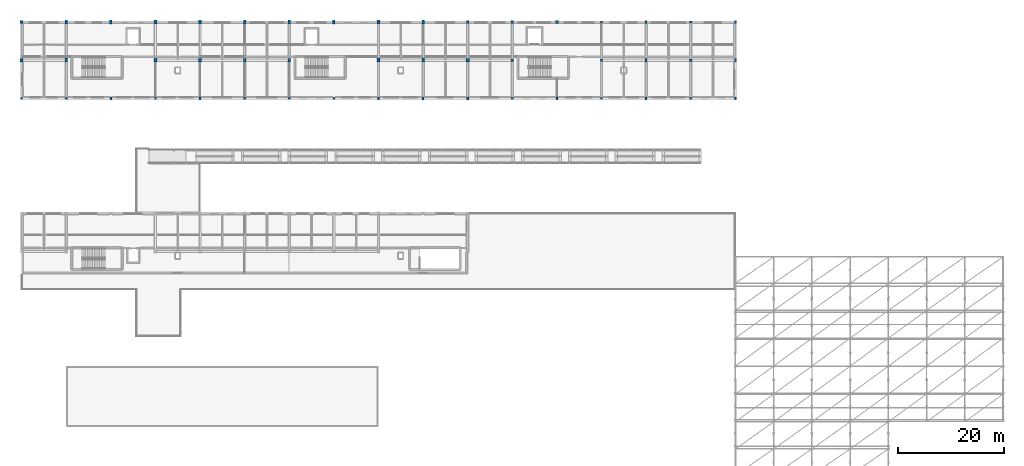
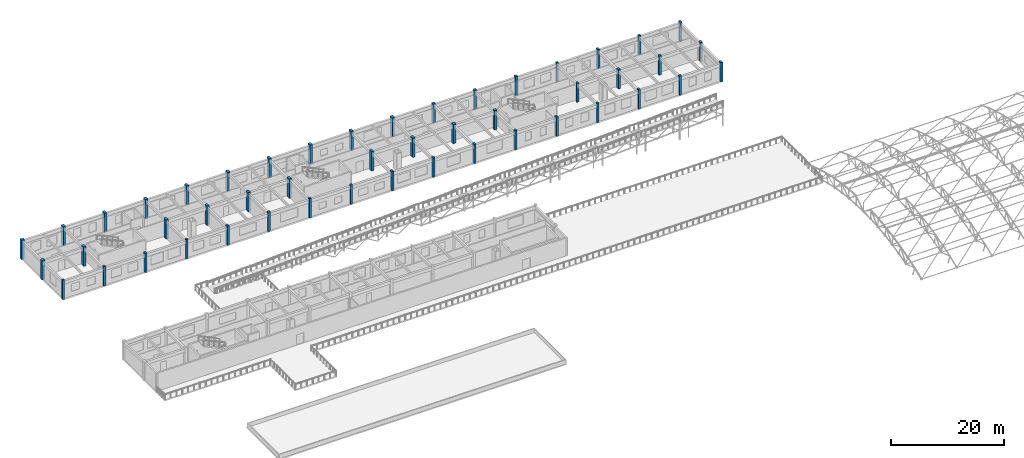
# One storey, part 6 of 41: 48 columns.
"""IFC4 building model written with IfcOpenShell, lengths in metres."""

from ifc_helpers import new_model, si_unit, direction, frame, origin, origin_2d, place, context, subcontext, project, spatial, rectangle, extrude, material, material_profile, profile_set, type_object, element, save


model = new_model("IFC4")

# Units and contexts
model_context = context("Model", 3, precision=1e-05, world=origin(), true_north=direction((0.0, 1.0)))
body_context = subcontext(model_context, "Body", "Model", "MODEL_VIEW")
ifc_project = project(units=[si_unit("LENGTHUNIT", "METRE"), si_unit("AREAUNIT", "SQUARE_METRE"), si_unit("VOLUMEUNIT", "CUBIC_METRE"), si_unit("PLANEANGLEUNIT", "RADIAN"), si_unit("MASSUNIT", "GRAM", prefix="KILO")], contexts=[model_context])

# Site, building, storey
site_placement = place(None, origin())
site = spatial("IfcSite", under=ifc_project, at=site_placement, CompositionType="ELEMENT")
building_placement = place(site_placement, origin())
building = spatial("IfcBuilding", under=site, at=building_placement, Name="Malvenik Polytechnic", CompositionType="ELEMENT")
storey_placement = place(building_placement, frame((0.0, 0.0, 17.699951171875)))
storey = spatial("IfcBuildingStorey", under=building, at=storey_placement, Name="L04", CompositionType="ELEMENT", Elevation=17.699951171875)

# Columns
ifc_material_1 = material(Name="Concrete C35/45", Category="concrete")
ifc_material_profile_1 = material_profile(ifc_material_1, rectangle(XDim=0.60009765625, YDim=0.60009765625, at=origin_2d()), Name="RC COL 600x600")
ifc_profile_set_1 = profile_set([ifc_material_profile_1], Name="Concrete C35/45")
column_type_1 = type_object("IfcColumnType", Name="STR-COL-C-06", PredefinedType="COLUMN", material=ifc_profile_set_1)
for number, where, z_axis, x_axis, name in (
    (1, (0.0, 122.39990234375, 0.0), (0.0, 0.0, 1.0), (1.0, 0.0, 0.0), "Column C-06 L04 (0.0,122.4)"),
    (2, (0.0, 129.60009765625, 0.0), (0.0, 0.0, 1.0), (1.0, 0.0, 0.0), "Column C-06 L04 (0.0,129.6)"),
    (3, (84.0, 122.39990234375, 0.0), (0.0, 0.0, 1.0), (1.0, 0.0, 0.0), "Column C-06 L04 (84.0,122.4)"),
):
    element("IfcColumn", number, at=place(storey_placement, frame(where, z_axis=z_axis, x_axis=x_axis)), inside=storey, type_object=column_type_1, Name=name, PredefinedType="COLUMN", context=body_context, shape_type="SweptSolid", body=[
        extrude(rectangle(XDim=0.60009765625, YDim=0.60009765625, at=origin_2d()), origin(), (0.0, 0.0, 1.0), 4.199951171875),
    ])
ifc_material_profile_2 = material_profile(ifc_material_1, rectangle(XDim=0.5, YDim=0.5, at=origin_2d()), Name="RC COL 500x500")
ifc_profile_set_2 = profile_set([ifc_material_profile_2], Name="Concrete C35/45")
column_type_2 = type_object("IfcColumnType", Name="STR-COL-C-08", PredefinedType="COLUMN", material=ifc_profile_set_2)
for number, where, z_axis, x_axis, name in (
    (4, (84.0, 129.60009765625, 0.0), (0.0, 0.0, 1.0), (1.0, 0.0, 0.0), "Column C-08 L04 (84.0,129.6)"),
    (5, (92.39990234375, 122.39990234375, 0.0), (0.0, 0.0, 1.0), (1.0, 0.0, 0.0), "Column C-08 L04 (92.4,122.4)"),
    (6, (92.39990234375, 129.60009765625, 0.0), (0.0, 0.0, 1.0), (1.0, 0.0, 0.0), "Column C-08 L04 (92.4,129.6)"),
    (7, (100.800048828125, 129.60009765625, 0.0), (0.0, 0.0, 1.0), (1.0, 0.0, 0.0), "Column C-08 L04 (100.8,129.6)"),
):
    element("IfcColumn", number, at=place(storey_placement, frame(where, z_axis=z_axis, x_axis=x_axis)), inside=storey, type_object=column_type_2, Name=name, PredefinedType="COLUMN", context=body_context, shape_type="SweptSolid", body=[
        extrude(rectangle(XDim=0.5, YDim=0.5, at=origin_2d()), origin(), (0.0, 0.0, 1.0), 4.199951171875),
    ])
ifc_material_profile_3 = material_profile(ifc_material_1, rectangle(XDim=0.449951171875, YDim=0.449951171875, at=origin_2d()), Name="RC COL 450x450")
ifc_profile_set_3 = profile_set([ifc_material_profile_3], Name="Concrete C35/45")
column_type_3 = type_object("IfcColumnType", Name="STR-COL-C-09", PredefinedType="COLUMN", material=ifc_profile_set_3)
for number, where, z_axis, x_axis, name in (
    (8, (8.39990234375, 115.199951171875, 0.0), (0.0, 0.0, 1.0), (1.0, 0.0, 0.0), "Column C-09 L04 (8.4,115.2)"),
    (9, (42.0, 115.199951171875, 0.0), (0.0, 0.0, 1.0), (1.0, 0.0, 0.0), "Column C-09 L04 (42.0,115.2)"),
    (10, (50.39990234375, 115.199951171875, 0.0), (0.0, 0.0, 1.0), (1.0, 0.0, 0.0), "Column C-09 L04 (50.4,115.2)"),
    (11, (92.39990234375, 115.199951171875, 0.0), (0.0, 0.0, 1.0), (1.0, 0.0, 0.0), "Column C-09 L04 (92.4,115.2)"),
    (12, (126.0, 115.199951171875, 0.0), (0.0, 0.0, 1.0), (1.0, 0.0, 0.0), "Column C-09 L04 (126.0,115.2)"),
    (13, (126.0, 122.39990234375, 0.0), (0.0, 0.0, 1.0), (1.0, 0.0, 0.0), "Column C-09 L04 (126.0,122.4)"),
    (14, (126.0, 129.60009765625, 0.0), (0.0, 0.0, 1.0), (1.0, 0.0, 0.0), "Column C-09 L04 (126.0,129.6)"),
):
    element("IfcColumn", number, at=place(storey_placement, frame(where, z_axis=z_axis, x_axis=x_axis)), inside=storey, type_object=column_type_3, Name=name, PredefinedType="COLUMN", context=body_context, shape_type="SweptSolid", body=[
        extrude(rectangle(XDim=0.449951171875, YDim=0.449951171875, at=origin_2d()), origin(), (0.0, 0.0, 1.0), 4.199951171875),
    ])
ifc_material_2 = material(Name="Concrete C30/37", Category="concrete")
ifc_material_profile_4 = material_profile(ifc_material_2, rectangle(XDim=0.39990234375, YDim=0.39990234375, at=origin_2d()), Name="RC COL 400x400")
ifc_profile_set_4 = profile_set([ifc_material_profile_4], Name="Concrete C30/37")
column_type_4 = type_object("IfcColumnType", Name="STR-COL-C-10", PredefinedType="COLUMN", material=ifc_profile_set_4)
for number, where, z_axis, x_axis, name in (
    (15, (0.0, 115.199951171875, 0.0), (0.0, 0.0, 1.0), (1.0, 0.0, 0.0), "Column C-10 L04 (0.0,115.2)"),
    (16, (25.199951171875, 115.199951171875, 0.0), (0.0, 0.0, 1.0), (1.0, 0.0, 0.0), "Column C-10 L04 (25.2,115.2)"),
    (17, (58.800048828125, 115.199951171875, 0.0), (0.0, 0.0, 1.0), (1.0, 0.0, 0.0), "Column C-10 L04 (58.8,115.2)"),
    (18, (109.199951171875, 115.199951171875, 0.0), (0.0, 0.0, 1.0), (1.0, 0.0, 0.0), "Column C-10 L04 (109.2,115.2)"),
    (19, (109.199951171875, 122.39990234375, 0.0), (0.0, 0.0, 1.0), (1.0, 0.0, 0.0), "Column C-10 L04 (109.2,122.4)"),
    (20, (109.199951171875, 129.60009765625, 0.0), (0.0, 0.0, 1.0), (1.0, 0.0, 0.0), "Column C-10 L04 (109.2,129.6)"),
):
    element("IfcColumn", number, at=place(storey_placement, frame(where, z_axis=z_axis, x_axis=x_axis)), inside=storey, type_object=column_type_4, Name=name, PredefinedType="COLUMN", context=body_context, shape_type="SweptSolid", body=[
        extrude(rectangle(XDim=0.39990234375, YDim=0.39990234375, at=origin_2d()), origin(), (0.0, 0.0, 1.0), 4.199951171875),
    ])
ifc_material_profile_5 = material_profile(ifc_material_1, rectangle(XDim=0.5, YDim=0.75, at=origin_2d()), Name="RC COL 750x500")
ifc_profile_set_5 = profile_set([ifc_material_profile_5], Name="Concrete C35/45")
column_type_5 = type_object("IfcColumnType", Name="STR-COL-C-14", PredefinedType="COLUMN", material=ifc_profile_set_5)
for number, where, z_axis, x_axis, name in (
    (21, (8.39990234375, 122.39990234375, 0.0), (0.0, 0.0, 1.0), (1.0, 0.0, 0.0), "Column C-14 L04 (8.4,122.4)"),
    (22, (8.39990234375, 129.60009765625, 0.0), (0.0, 0.0, 1.0), (1.0, 0.0, 0.0), "Column C-14 L04 (8.4,129.6)"),
    (23, (16.800048828125, 129.60009765625, 0.0), (0.0, 0.0, 1.0), (1.0, 0.0, 0.0), "Column C-14 L04 (16.8,129.6)"),
    (24, (25.199951171875, 122.39990234375, 0.0), (0.0, 0.0, 1.0), (1.0, 0.0, 0.0), "Column C-14 L04 (25.2,122.4)"),
    (25, (25.199951171875, 129.60009765625, 0.0), (0.0, 0.0, 1.0), (1.0, 0.0, 0.0), "Column C-14 L04 (25.2,129.6)"),
    (26, (33.60009765625, 122.39990234375, 0.0), (0.0, 0.0, 1.0), (1.0, 0.0, 0.0), "Column C-14 L04 (33.6,122.4)"),
    (27, (33.60009765625, 129.60009765625, 0.0), (0.0, 0.0, 1.0), (1.0, 0.0, 0.0), "Column C-14 L04 (33.6,129.6)"),
    (28, (42.0, 122.39990234375, 0.0), (0.0, 0.0, 1.0), (1.0, 0.0, 0.0), "Column C-14 L04 (42.0,122.4)"),
    (29, (42.0, 129.60009765625, 0.0), (0.0, 0.0, 1.0), (1.0, 0.0, 0.0), "Column C-14 L04 (42.0,129.6)"),
    (30, (50.39990234375, 122.39990234375, 0.0), (0.0, 0.0, 1.0), (1.0, 0.0, 0.0), "Column C-14 L04 (50.4,122.4)"),
    (31, (50.39990234375, 129.60009765625, 0.0), (0.0, 0.0, 1.0), (1.0, 0.0, 0.0), "Column C-14 L04 (50.4,129.6)"),
    (32, (58.800048828125, 129.60009765625, 0.0), (0.0, 0.0, 1.0), (1.0, 0.0, 0.0), "Column C-14 L04 (58.8,129.6)"),
    (33, (67.199951171875, 122.39990234375, 0.0), (0.0, 0.0, 1.0), (1.0, 0.0, 0.0), "Column C-14 L04 (67.2,122.4)"),
    (34, (67.199951171875, 129.60009765625, 0.0), (0.0, 0.0, 1.0), (1.0, 0.0, 0.0), "Column C-14 L04 (67.2,129.6)"),
    (35, (75.60009765625, 122.39990234375, 0.0), (0.0, 0.0, 1.0), (1.0, 0.0, 0.0), "Column C-14 L04 (75.6,122.4)"),
    (36, (75.60009765625, 129.60009765625, 0.0), (0.0, 0.0, 1.0), (1.0, 0.0, 0.0), "Column C-14 L04 (75.6,129.6)"),
):
    element("IfcColumn", number, at=place(storey_placement, frame(where, z_axis=z_axis, x_axis=x_axis)), inside=storey, type_object=column_type_5, Name=name, PredefinedType="COLUMN", context=body_context, shape_type="SweptSolid", body=[
        extrude(rectangle(XDim=0.5, YDim=0.75, at=origin_2d()), origin(), (0.0, 0.0, 1.0), 4.199951171875),
    ])
ifc_material_profile_6 = material_profile(ifc_material_1, rectangle(XDim=0.39990234375, YDim=0.60009765625, at=origin_2d()), Name="RC COL 600x400")
ifc_profile_set_6 = profile_set([ifc_material_profile_6], Name="Concrete C35/45")
column_type_6 = type_object("IfcColumnType", Name="STR-COL-C-15", PredefinedType="COLUMN", material=ifc_profile_set_6)
for number, where, z_axis, x_axis, name in (
    (37, (16.800048828125, 115.199951171875, 0.0), (0.0, 0.0, 1.0), (1.0, 0.0, 0.0), "Column C-15 L04 (16.8,115.2)"),
    (38, (33.60009765625, 115.199951171875, 0.0), (0.0, 0.0, 1.0), (1.0, 0.0, 0.0), "Column C-15 L04 (33.6,115.2)"),
    (39, (67.199951171875, 115.199951171875, 0.0), (0.0, 0.0, 1.0), (1.0, 0.0, 0.0), "Column C-15 L04 (67.2,115.2)"),
    (40, (75.60009765625, 115.199951171875, 0.0), (0.0, 0.0, 1.0), (1.0, 0.0, 0.0), "Column C-15 L04 (75.6,115.2)"),
    (41, (84.0, 115.199951171875, 0.0), (0.0, 0.0, 1.0), (1.0, 0.0, 0.0), "Column C-15 L04 (84.0,115.2)"),
    (42, (100.800048828125, 115.199951171875, 0.0), (0.0, 0.0, 1.0), (1.0, 0.0, 0.0), "Column C-15 L04 (100.8,115.2)"),
    (43, (117.60009765625, 115.199951171875, 0.0), (0.0, 0.0, 1.0), (1.0, 0.0, 0.0), "Column C-15 L04 (117.6,115.2)"),
    (44, (117.60009765625, 122.39990234375, 0.0), (0.0, 0.0, 1.0), (1.0, 0.0, 0.0), "Column C-15 L04 (117.6,122.4)"),
    (45, (117.60009765625, 129.60009765625, 0.0), (0.0, 0.0, 1.0), (1.0, 0.0, 0.0), "Column C-15 L04 (117.6,129.6)"),
    (46, (134.39990234375, 115.199951171875, 0.0), (0.0, 0.0, 1.0), (1.0, 0.0, 0.0), "Column C-15 L04 (134.4,115.2)"),
    (47, (134.39990234375, 122.39990234375, 0.0), (0.0, 0.0, 1.0), (1.0, 0.0, 0.0), "Column C-15 L04 (134.4,122.4)"),
    (48, (134.39990234375, 129.60009765625, 0.0), (0.0, 0.0, 1.0), (1.0, 0.0, 0.0), "Column C-15 L04 (134.4,129.6)"),
):
    element("IfcColumn", number, at=place(storey_placement, frame(where, z_axis=z_axis, x_axis=x_axis)), inside=storey, type_object=column_type_6, Name=name, PredefinedType="COLUMN", context=body_context, shape_type="SweptSolid", body=[
        extrude(rectangle(XDim=0.39990234375, YDim=0.60009765625, at=origin_2d()), origin(), (0.0, 0.0, 1.0), 4.199951171875),
    ])

save(model, "model.ifc")
